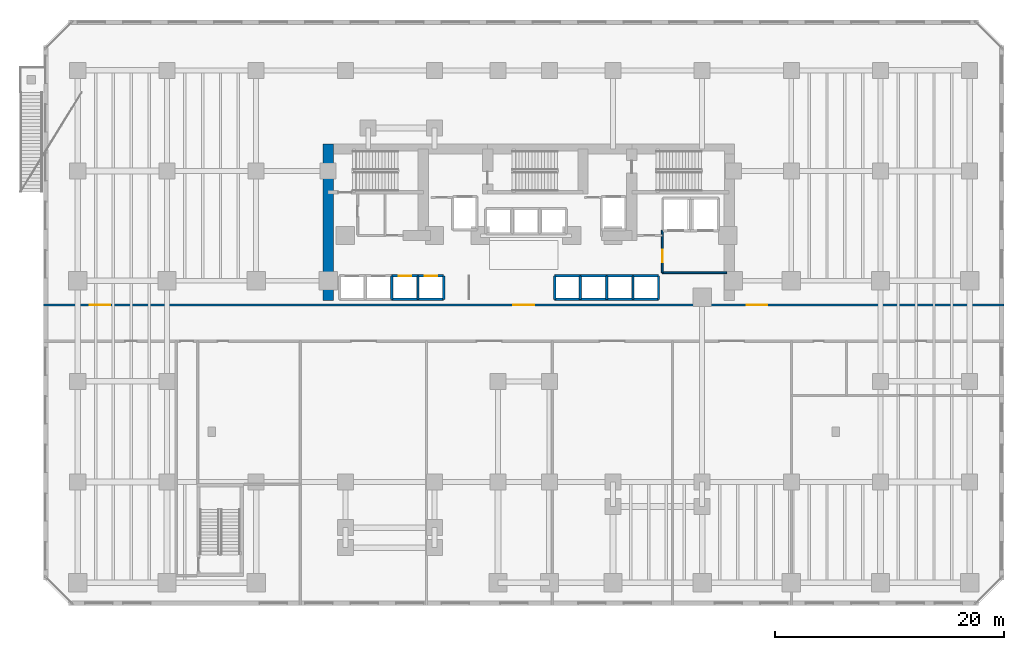
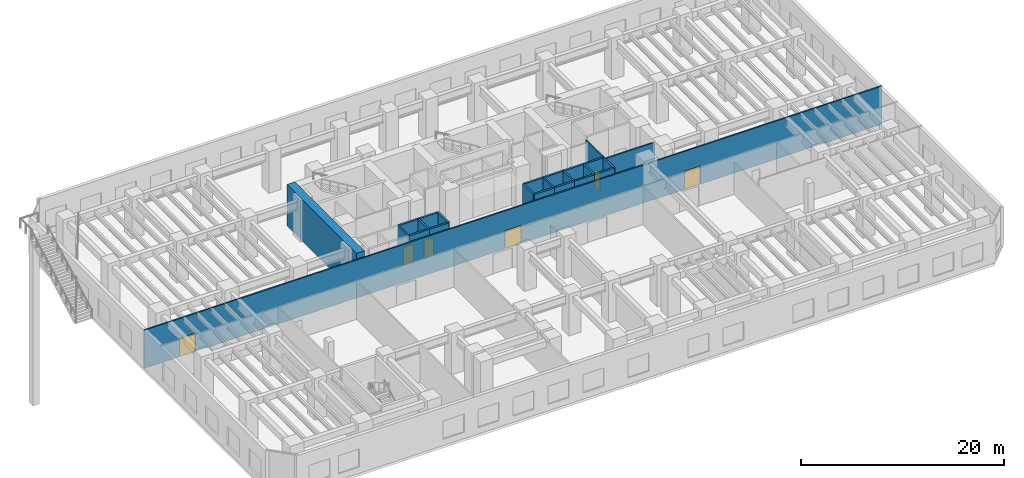
# One storey, part 13 of 20: 24 walls, 6 doors, 6 openings.
"""IFC4 building model written with IfcOpenShell, lengths in metres."""

from ifc_helpers import new_model, si_unit, direction, frame, frame_2d, origin, place, context, subcontext, project, spatial, rectangle, extrude, material, layer, layer_set, type_object, element, fill, save


model = new_model("IFC4")

# Units and contexts
model_context = context("Model", 3, precision=1e-05, world=origin(), true_north=direction((0.0, 1.0)))
body_context = subcontext(model_context, "Body", "Model", "MODEL_VIEW")
ifc_project = project(units=[si_unit("LENGTHUNIT", "METRE"), si_unit("AREAUNIT", "SQUARE_METRE"), si_unit("VOLUMEUNIT", "CUBIC_METRE"), si_unit("PLANEANGLEUNIT", "RADIAN"), si_unit("MASSUNIT", "GRAM", prefix="KILO")], contexts=[model_context])

# Site, building, storey
site_placement = place(None, origin())
site = spatial("IfcSite", under=ifc_project, at=site_placement, CompositionType="ELEMENT")
building_placement = place(site_placement, origin())
building = spatial("IfcBuilding", under=site, at=building_placement, Name="Kestravale Grand Hotel", CompositionType="ELEMENT")
storey_placement = place(building_placement, frame((0.0, 0.0, 15.800048828125)))
storey = spatial("IfcBuildingStorey", under=building, at=storey_placement, Name="L03", CompositionType="ELEMENT", Elevation=15.800048828125)

# Wall
ifc_material_1 = material(Name="Concrete f'c 70 MPa", Category="concrete")
ifc_layer_1 = layer(ifc_material_1, 0.89990234375)
ifc_layer_set_1 = layer_set([ifc_layer_1], Name="EW-CORE-900")
wall_type_1 = type_object("IfcWallType", Name="EW-CORE-900", PredefinedType="SHEAR", material=ifc_layer_set_1)
wall_1_placement = place(storey_placement, frame((21.89990234375, 27.050048828125, 0.0), z_axis=(0.0, 0.0, 1.0), x_axis=(0.0, 1.0, 0.0)))
element("IfcWall", 1, at=wall_1_placement, inside=storey, type_object=wall_type_1, Name="L03 core shear wall W1", PredefinedType="SHEAR", context=body_context, shape_type="SweptSolid", body=[
    extrude(rectangle(XDim=13.719970703125, YDim=0.89990234375, at=frame_2d((6.85986328125, 0.0))), origin(), (0.0, 0.0, 1.0), 5.0),
])

# Wall, opening, door
ifc_material_2 = material(Name="Acoustic fire-rated gypsum board partition", Category="other")
ifc_layer_2 = layer(ifc_material_2, 0.159912109375)
ifc_layer_set_2 = layer_set([ifc_layer_2], Name="IW-CORR-160")
wall_type_2 = type_object("IfcWallType", Name="IW-CORR-160", PredefinedType="PARTITIONING", material=ifc_layer_set_2)
wall_2_placement = place(storey_placement, frame((51.1201171875, 29.5, 0.0), z_axis=(0.0, 0.0, 1.0), x_axis=(0.0, 1.0, 0.0)))
wall_2 = element("IfcWall", 2, at=wall_2_placement, inside=storey, type_object=wall_type_2, Name="W-L03-SVCLOB-W", PredefinedType="PARTITIONING", context=body_context, shape_type="SweptSolid", body=[
    extrude(rectangle(XDim=3.699951171875, YDim=0.159912109375, at=frame_2d((1.85009765625, 0.0))), origin(), (0.0, 0.0, 1.0), 4.579833984375),
])
opening_1_placement = place(wall_2_placement, frame((0.89990234375, 0.0, 0.0)))
opening_1 = element("IfcOpeningElement", 3, at=opening_1_placement, cuts=wall_2, Name="Opening D-CORR-1100", PredefinedType="OPENING", context=body_context, shape_type="SweptSolid", body=[
    extrude(rectangle(XDim=1.10009765625, YDim=2.14990234375, at=frame_2d((0.550048828125, 1.074951171875))), frame((0.0, 0.08984375, 0.0), z_axis=(0.0, -1.0, 0.0), x_axis=(1.0, 0.0, 0.0)), (0.0, 0.0, 1.0), 0.179931640625),
])
ifc_material_3 = material(Name="Single-leaf service vestibule fire door", Category="steel")
door_type_1 = type_object("IfcDoorType", Name="D-CORR-1100", OperationType="NOTDEFINED", PredefinedType="DOOR", material=ifc_material_3)
door_1_placement = place(opening_1_placement, origin())
door_1 = element("IfcDoor", 4, at=door_1_placement, inside=storey, type_object=door_type_1, Name="L03 service lift lobby door", OperationType="SINGLE_SWING_LEFT", OverallHeight=2.14990234375, OverallWidth=1.10009765625, PredefinedType="DOOR", context=body_context, shape_type="SweptSolid", body=[
    extrude(rectangle(XDim=1.10009765625, YDim=2.14990234375, at=frame_2d((0.550048828125, 1.074951171875))), frame((0.0, 0.02490234375, 0.0), z_axis=(0.0, -1.0, 0.0), x_axis=(1.0, 0.0, 0.0)), (0.0, 0.0, 1.0), 0.050048828125),
])
fill(opening_1, door_1)

# Wall
wall_3_placement = place(storey_placement, frame((51.1201171875, 29.5, 0.0), z_axis=(0.0, 0.0, 1.0), x_axis=(1.0, 0.0, 0.0)))
element("IfcWall", 5, at=wall_3_placement, inside=storey, type_object=wall_type_2, Name="L03 service lift lobby wall", PredefinedType="PARTITIONING", context=body_context, shape_type="SweptSolid", body=[
    extrude(rectangle(XDim=5.6298828125, YDim=0.159912109375, at=frame_2d((2.81494140625, 0.0))), origin(), (0.0, 0.0, 1.0), 4.579833984375),
])

# Wall, openings, doors
wall_4_placement = place(storey_placement, frame((-2.97998046875, 26.679931640625, 0.0), z_axis=(0.0, 0.0, 1.0), x_axis=(1.0, 0.0, 0.0)))
wall_4 = element("IfcWall", 6, at=wall_4_placement, inside=storey, type_object=wall_type_2, Name="W-L03-MC-N", PredefinedType="PARTITIONING", context=body_context, shape_type="SweptSolid", body=[
    extrude(rectangle(XDim=83.9599609375, YDim=0.159912109375, at=frame_2d((41.97998046875, 0.0))), origin(), (0.0, 0.0, 1.0), 4.579833984375),
])
opening_2_placement = place(wall_4_placement, frame((41.080078125, 0.0, 0.0)))
opening_2 = element("IfcOpeningElement", 7, at=opening_2_placement, cuts=wall_4, Name="Opening D-CORR-1800", PredefinedType="OPENING", context=body_context, shape_type="SweptSolid", body=[
    extrude(rectangle(XDim=1.800048828125, YDim=2.199951171875, at=frame_2d((0.89990234375, 1.10009765625))), frame((0.0, 0.08984375, 0.0), z_axis=(0.0, -1.0, 0.0), x_axis=(1.0, 0.0, 0.0)), (0.0, 0.0, 1.0), 0.179931640625),
])
opening_3_placement = place(wall_4_placement, frame((4.04248046875, 0.0, 0.0)))
opening_3 = element("IfcOpeningElement", 8, at=opening_3_placement, cuts=wall_4, Name="Opening D-CORR-1800", PredefinedType="OPENING", context=body_context, shape_type="SweptSolid", body=[
    extrude(rectangle(XDim=1.800048828125, YDim=2.199951171875, at=frame_2d((0.89990234375, 1.10009765625))), frame((0.0, 0.08984375, 0.0), z_axis=(0.0, -1.0, 0.0), x_axis=(1.0, 0.0, 0.0)), (0.0, 0.0, 1.0), 0.179931640625),
])
opening_4_placement = place(wall_4_placement, frame((61.47998046875, 0.0, 0.0)))
opening_4 = element("IfcOpeningElement", 9, at=opening_4_placement, cuts=wall_4, Name="Opening D-CORR-1800", PredefinedType="OPENING", context=body_context, shape_type="SweptSolid", body=[
    extrude(rectangle(XDim=1.800048828125, YDim=2.199951171875, at=frame_2d((0.89990234375, 1.10009765625))), frame((0.0, 0.08984375, 0.0), z_axis=(0.0, -1.0, 0.0), x_axis=(1.0, 0.0, 0.0)), (0.0, 0.0, 1.0), 0.179931640625),
])
ifc_material_4 = material(Name="Double-leaf glazed bronze acoustic corridor fire door", Category="aluminium")
door_type_2 = type_object("IfcDoorType", Name="D-CORR-1800", OperationType="NOTDEFINED", PredefinedType="DOOR", material=ifc_material_4)
door_2_placement = place(opening_2_placement, origin())
door_2 = element("IfcDoor", 10, at=door_2_placement, inside=storey, type_object=door_type_2, Name="D-L03-MC-LFT", OperationType="DOUBLE_DOOR_SINGLE_SWING", OverallHeight=2.199951171875, OverallWidth=1.800048828125, PredefinedType="DOOR", context=body_context, shape_type="SweptSolid", body=[
    extrude(rectangle(XDim=1.800048828125, YDim=2.199951171875, at=frame_2d((0.89990234375, 1.10009765625))), frame((0.0, 0.02490234375, 0.0), z_axis=(0.0, -1.0, 0.0), x_axis=(1.0, 0.0, 0.0)), (0.0, 0.0, 1.0), 0.050048828125),
])
fill(opening_2, door_2)
door_3_placement = place(opening_3_placement, origin())
door_3 = element("IfcDoor", 11, at=door_3_placement, inside=storey, type_object=door_type_2, Name="D-L03-BREAK", OperationType="DOUBLE_DOOR_SINGLE_SWING", OverallHeight=2.199951171875, OverallWidth=1.800048828125, PredefinedType="DOOR", context=body_context, shape_type="SweptSolid", body=[
    extrude(rectangle(XDim=1.800048828125, YDim=2.199951171875, at=frame_2d((0.89990234375, 1.10009765625))), frame((0.0, 0.02490234375, 0.0), z_axis=(0.0, -1.0, 0.0), x_axis=(1.0, 0.0, 0.0)), (0.0, 0.0, 1.0), 0.050048828125),
])
fill(opening_3, door_3)
door_4_placement = place(opening_4_placement, origin())
door_4 = element("IfcDoor", 12, at=door_4_placement, inside=storey, type_object=door_type_2, Name="D-L03-AV", OperationType="DOUBLE_DOOR_SINGLE_SWING", OverallHeight=2.199951171875, OverallWidth=1.800048828125, PredefinedType="DOOR", context=body_context, shape_type="SweptSolid", body=[
    extrude(rectangle(XDim=1.800048828125, YDim=2.199951171875, at=frame_2d((0.89990234375, 1.10009765625))), frame((0.0, 0.02490234375, 0.0), z_axis=(0.0, -1.0, 0.0), x_axis=(1.0, 0.0, 0.0)), (0.0, 0.0, 1.0), 0.050048828125),
])
fill(opening_4, door_4)

# Walls
ifc_material_5 = material(Name="Concrete f'c 45 MPa", Category="concrete")
ifc_layer_3 = layer(ifc_material_5, 0.199951171875)
ifc_layer_set_3 = layer_set([ifc_layer_3], Name="IW-SHAFT-200")
wall_type_3 = type_object("IfcWallType", Name="IW-SHAFT-200", PredefinedType="SHEAR", material=ifc_layer_set_3)
for number, where, z_axis, x_axis, name in (
    (13, (27.449951171875, 27.169921875, 0.0), (0.0, 0.0, 1.0), (0.0, 1.0, 0.0), "L03 PL-L3 west shaft wall"),
    (14, (29.75, 27.169921875, 0.0), (0.0, 0.0, 1.0), (0.0, 1.0, 0.0), "L03 PL-L4 west shaft wall"),
    (15, (31.9951171875, 27.169921875, 0.0), (0.0, 0.0, 1.0), (0.0, 1.0, 0.0), "L03 PL-L4 east shaft wall"),
    (16, (41.705078125, 27.169921875, 0.0), (0.0, 0.0, 1.0), (0.0, 1.0, 0.0), "L03 PL-M1 west shaft wall"),
    (17, (43.949951171875, 27.169921875, 0.0), (0.0, 0.0, 1.0), (0.0, 1.0, 0.0), "L03 PL-M2 west shaft wall"),
    (18, (46.25, 27.169921875, 0.0), (0.0, 0.0, 1.0), (0.0, 1.0, 0.0), "L03 PL-M3 west shaft wall"),
    (19, (48.550048828125, 27.169921875, 0.0), (0.0, 0.0, 1.0), (0.0, 1.0, 0.0), "L03 PL-M4 west shaft wall"),
    (20, (50.794921875, 27.169921875, 0.0), (0.0, 0.0, 1.0), (0.0, 1.0, 0.0), "L03 PL-M4 east shaft wall"),
):
    element("IfcWall", number, at=place(storey_placement, frame(where, z_axis=z_axis, x_axis=x_axis)), inside=storey, type_object=wall_type_3, Name=name, PredefinedType="SHEAR", context=body_context, shape_type="SweptSolid", body=[
        extrude(rectangle(XDim=2.06005859375, YDim=0.199951171875, at=frame_2d((1.030029296875, 0.0))), origin(), (0.0, 0.0, 1.0), 5.0),
    ])

# Wall, opening, door
ifc_material_6 = material(Name="Concrete f'c 45 MPa", Category="concrete")
ifc_layer_4 = layer(ifc_material_6, 0.219970703125)
ifc_layer_set_4 = layer_set([ifc_layer_4], Name="IW-SHAFT-220")
wall_type_4 = type_object("IfcWallType", Name="IW-SHAFT-220", PredefinedType="SHEAR", material=ifc_layer_set_4)
wall_5_placement = place(storey_placement, frame((27.449951171875, 29.22998046875, 0.0), z_axis=(0.0, 0.0, 1.0), x_axis=(1.0, 0.0, 0.0)))
wall_5 = element("IfcWall", 21, at=wall_5_placement, inside=storey, type_object=wall_type_4, Name="L03 PL-L3 north shaft wall", PredefinedType="SHEAR", context=body_context, shape_type="SweptSolid", body=[
    extrude(rectangle(XDim=2.300048828125, YDim=0.219970703125, at=frame_2d((1.14990234375, 0.0))), origin(), (0.0, 0.0, 1.0), 5.0),
])
opening_5_placement = place(wall_5_placement, frame((0.60009765625, 0.0, 0.0)))
opening_5 = element("IfcOpeningElement", 22, at=opening_5_placement, cuts=wall_5, Name="Opening LD-PAX-1100", PredefinedType="OPENING", context=body_context, shape_type="SweptSolid", body=[
    extrude(rectangle(XDim=1.10009765625, YDim=2.14990234375, at=frame_2d((0.550048828125, 1.074951171875))), frame((0.0, 0.119873046875, 0.0), z_axis=(0.0, -1.0, 0.0), x_axis=(1.0, 0.0, 0.0)), (0.0, 0.0, 1.0), 0.239990234375),
])
ifc_material_7 = material(Name="Champagne-bronze center-opening sliding elevator landing door", Category="steel")
door_type_3 = type_object("IfcDoorType", Name="LD-PAX-1100", OperationType="NOTDEFINED", PredefinedType="DOOR", material=ifc_material_7)
door_5_placement = place(opening_5_placement, origin())
door_5 = element("IfcDoor", 23, at=door_5_placement, inside=storey, type_object=door_type_3, Name="L03 PL-L3 elevator landing sliding door", OperationType="DOUBLE_DOOR_SLIDING", OverallHeight=2.14990234375, OverallWidth=1.10009765625, PredefinedType="DOOR", context=body_context, shape_type="SweptSolid", body=[
    extrude(rectangle(XDim=1.10009765625, YDim=2.14990234375, at=frame_2d((0.550048828125, 1.074951171875))), frame((0.0, 0.02490234375, 0.0), z_axis=(0.0, -1.0, 0.0), x_axis=(1.0, 0.0, 0.0)), (0.0, 0.0, 1.0), 0.050048828125),
])
fill(opening_5, door_5)

# Wall
wall_6_placement = place(storey_placement, frame((27.449951171875, 27.169921875, 0.0), z_axis=(0.0, 0.0, 1.0), x_axis=(1.0, 0.0, 0.0)))
element("IfcWall", 24, at=wall_6_placement, inside=storey, type_object=wall_type_4, Name="L03 PL-L3 south shaft wall", PredefinedType="SHEAR", context=body_context, shape_type="SweptSolid", body=[
    extrude(rectangle(XDim=2.300048828125, YDim=0.219970703125, at=frame_2d((1.14990234375, 0.0))), origin(), (0.0, 0.0, 1.0), 5.0),
])

# Wall, opening, door
wall_7_placement = place(storey_placement, frame((29.75, 29.22998046875, 0.0), z_axis=(0.0, 0.0, 1.0), x_axis=(1.0, 0.0, 0.0)))
wall_7 = element("IfcWall", 25, at=wall_7_placement, inside=storey, type_object=wall_type_4, Name="L03 PL-L4 north shaft wall", PredefinedType="SHEAR", context=body_context, shape_type="SweptSolid", body=[
    extrude(rectangle(XDim=2.2451171875, YDim=0.219970703125, at=frame_2d((1.12255859375, 0.0))), origin(), (0.0, 0.0, 1.0), 5.0),
])
opening_6_placement = place(wall_7_placement, frame((0.60009765625, 0.0, 0.0)))
opening_6 = element("IfcOpeningElement", 26, at=opening_6_placement, cuts=wall_7, Name="Opening LD-PAX-1100", PredefinedType="OPENING", context=body_context, shape_type="SweptSolid", body=[
    extrude(rectangle(XDim=1.10009765625, YDim=2.14990234375, at=frame_2d((0.550048828125, 1.074951171875))), frame((0.0, 0.119873046875, 0.0), z_axis=(0.0, -1.0, 0.0), x_axis=(1.0, 0.0, 0.0)), (0.0, 0.0, 1.0), 0.239990234375),
])
door_6_placement = place(opening_6_placement, origin())
door_6 = element("IfcDoor", 27, at=door_6_placement, inside=storey, type_object=door_type_3, Name="L03 PL-L4 elevator landing sliding door", OperationType="DOUBLE_DOOR_SLIDING", OverallHeight=2.14990234375, OverallWidth=1.10009765625, PredefinedType="DOOR", context=body_context, shape_type="SweptSolid", body=[
    extrude(rectangle(XDim=1.10009765625, YDim=2.14990234375, at=frame_2d((0.550048828125, 1.074951171875))), frame((0.0, 0.02490234375, 0.0), z_axis=(0.0, -1.0, 0.0), x_axis=(1.0, 0.0, 0.0)), (0.0, 0.0, 1.0), 0.050048828125),
])
fill(opening_6, door_6)

# Walls
wall_8_placement = place(storey_placement, frame((29.75, 27.169921875, 0.0), z_axis=(0.0, 0.0, 1.0), x_axis=(1.0, 0.0, 0.0)))
element("IfcWall", 28, at=wall_8_placement, inside=storey, type_object=wall_type_4, Name="L03 PL-L4 south shaft wall", PredefinedType="SHEAR", context=body_context, shape_type="SweptSolid", body=[
    extrude(rectangle(XDim=2.2451171875, YDim=0.219970703125, at=frame_2d((1.12255859375, 0.0))), origin(), (0.0, 0.0, 1.0), 5.0),
])
for number, where, z_axis, x_axis, name in (
    (29, (41.705078125, 29.22998046875, 0.0), (0.0, 0.0, 1.0), (1.0, 0.0, 0.0), "L03 PL-M1 north shaft wall"),
    (30, (41.705078125, 27.169921875, 0.0), (0.0, 0.0, 1.0), (1.0, 0.0, 0.0), "L03 PL-M1 south shaft wall"),
):
    element("IfcWall", number, at=place(storey_placement, frame(where, z_axis=z_axis, x_axis=x_axis)), inside=storey, type_object=wall_type_4, Name=name, PredefinedType="SHEAR", context=body_context, shape_type="SweptSolid", body=[
        extrude(rectangle(XDim=2.244873046875, YDim=0.219970703125, at=frame_2d((1.12255859375, 0.0))), origin(), (0.0, 0.0, 1.0), 5.0),
    ])
for number, where, z_axis, x_axis, name in (
    (31, (43.949951171875, 29.22998046875, 0.0), (0.0, 0.0, 1.0), (1.0, 0.0, 0.0), "L03 PL-M2 north shaft wall"),
    (32, (43.949951171875, 27.169921875, 0.0), (0.0, 0.0, 1.0), (1.0, 0.0, 0.0), "L03 PL-M2 south shaft wall"),
    (33, (46.25, 29.22998046875, 0.0), (0.0, 0.0, 1.0), (1.0, 0.0, 0.0), "L03 PL-M3 north shaft wall"),
    (34, (46.25, 27.169921875, 0.0), (0.0, 0.0, 1.0), (1.0, 0.0, 0.0), "L03 PL-M3 south shaft wall"),
):
    element("IfcWall", number, at=place(storey_placement, frame(where, z_axis=z_axis, x_axis=x_axis)), inside=storey, type_object=wall_type_4, Name=name, PredefinedType="SHEAR", context=body_context, shape_type="SweptSolid", body=[
        extrude(rectangle(XDim=2.300048828125, YDim=0.219970703125, at=frame_2d((1.14990234375, 0.0))), origin(), (0.0, 0.0, 1.0), 5.0),
    ])
for number, where, z_axis, x_axis, name in (
    (35, (48.550048828125, 29.22998046875, 0.0), (0.0, 0.0, 1.0), (1.0, 0.0, 0.0), "L03 PL-M4 north shaft wall"),
    (36, (48.550048828125, 27.169921875, 0.0), (0.0, 0.0, 1.0), (1.0, 0.0, 0.0), "L03 PL-M4 south shaft wall"),
):
    element("IfcWall", number, at=place(storey_placement, frame(where, z_axis=z_axis, x_axis=x_axis)), inside=storey, type_object=wall_type_4, Name=name, PredefinedType="SHEAR", context=body_context, shape_type="SweptSolid", body=[
        extrude(rectangle(XDim=2.244873046875, YDim=0.219970703125, at=frame_2d((1.12255859375, 0.0))), origin(), (0.0, 0.0, 1.0), 5.0),
    ])

save(model, "model.ifc")
